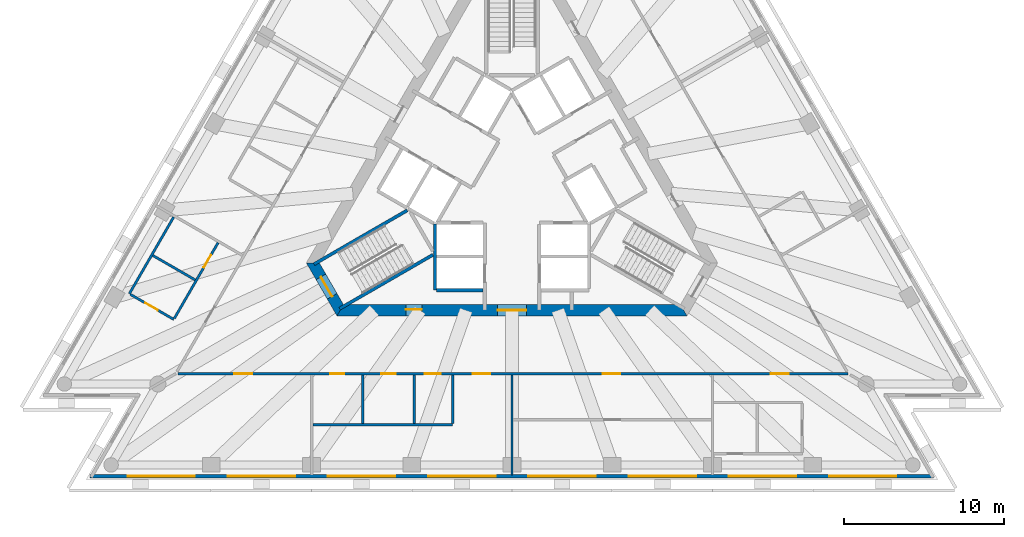
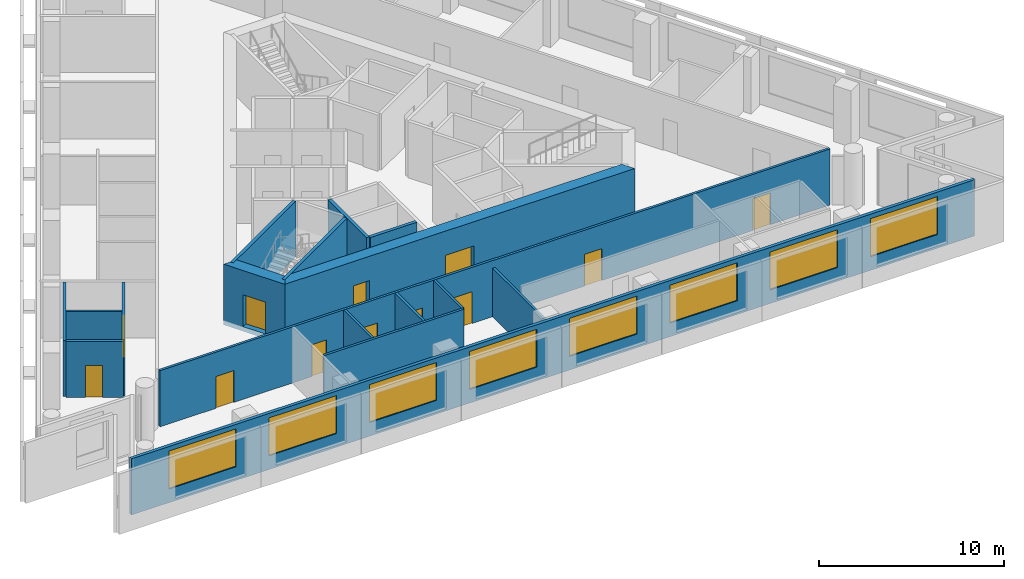
# One storey, part 3 of 10: 17 walls, 12 doors, 8 windows, 20 openings.
"""IFC4 building model written with IfcOpenShell, lengths in metres."""

from ifc_helpers import new_model, si_unit, direction, frame, frame_2d, origin, place, context, subcontext, project, spatial, polyline, rectangle, outline, extrude, material, layer, layer_set, layer_usage, type_object, element, fill, save


model = new_model("IFC4")

# Units and contexts
model_context = context("Model", 3, precision=1e-05, world=origin(), true_north=direction((0.0, 1.0)))
body_context = subcontext(model_context, "Body", "Model", "MODEL_VIEW")
ifc_project = project(units=[si_unit("LENGTHUNIT", "METRE"), si_unit("AREAUNIT", "SQUARE_METRE"), si_unit("VOLUMEUNIT", "CUBIC_METRE"), si_unit("PLANEANGLEUNIT", "RADIAN"), si_unit("MASSUNIT", "GRAM", prefix="KILO")], contexts=[model_context])

# Site, building, storey
site_placement = place(None, origin())
site = spatial("IfcSite", under=ifc_project, at=site_placement, CompositionType="ELEMENT")
building_placement = place(site_placement, origin())
building = spatial("IfcBuilding", under=site, at=building_placement, Name="Triada Interchange Tower", CompositionType="ELEMENT")
storey_placement = place(building_placement, frame((0.0, 0.0, 191.300048828125)))
storey = spatial("IfcBuildingStorey", under=building, at=storey_placement, Name="L44", CompositionType="ELEMENT", Elevation=191.300048828125)

# Walls
ifc_material_1 = material(Name="Concrete C30/37", Category="concrete")
ifc_layer_1 = layer(ifc_material_1, 0.199951171875)
ifc_layer_set_1 = layer_set([ifc_layer_1], Name="CORE WALL 200 EI 120")
wall_type_1 = type_object("IfcWallType", Name="CORE WALL 200 EI 120", PredefinedType="SOLIDWALL", material=ifc_layer_set_1)
wall_1_placement = place(storey_placement, frame((-4.800048828125, -6.89990234375, 0.0), z_axis=(0.0, 0.0, 1.0), x_axis=(0.0, 1.0, 0.0)))
element("IfcWall", 1, at=wall_1_placement, inside=storey, type_object=wall_type_1, Name="Wall L44 48", PredefinedType="SOLIDWALL", context=body_context, shape_type="SweptSolid", body=[
    extrude(rectangle(XDim=4.130859375, YDim=0.199951171875, at=frame_2d((2.0654296875, 0.0))), origin(), (0.0, 0.0, 1.0), 3.699951171875),
])
wall_2_placement = place(storey_placement, frame((-4.699951171875, -6.89990234375, 0.0), z_axis=(0.0, 0.0, 1.0), x_axis=(1.0, 0.0, 0.0)))
element("IfcWall", 2, at=wall_2_placement, inside=storey, type_object=wall_type_1, Name="Wall L44 49", PredefinedType="SOLIDWALL", context=body_context, shape_type="SweptSolid", body=[
    extrude(rectangle(XDim=2.89990234375, YDim=0.199951171875, at=frame_2d((1.449951171875, 0.0))), origin(), (0.0, 0.0, 1.0), 3.699951171875),
])
ifc_layer_2 = layer(ifc_material_1, 0.199951171875)
ifc_layer_set_2 = layer_set([ifc_layer_2], Name="CORE WALL 200 REI 240")
wall_type_2 = type_object("IfcWallType", Name="CORE WALL 200 REI 240", PredefinedType="SOLIDWALL", material=ifc_layer_set_2)
wall_3_placement = place(storey_placement, frame((-12.343994140625, -5.279052734375, 0.0), z_axis=(0.0, 0.0, 1.0), x_axis=(0.866046323291, 0.499963764601, 0.0)))
element("IfcWall", 3, at=wall_3_placement, inside=storey, type_object=wall_type_2, Name="Wall L44 88", PredefinedType="SOLIDWALL", context=body_context, shape_type="SweptSolid", body=[
    extrude(rectangle(XDim=6.71435546875, YDim=0.199951171875, at=frame_2d((3.357177734375, 0.0))), origin(), (0.0, 0.0, 1.0), 3.699951171875),
])
wall_4_placement = place(storey_placement, frame((-10.743896484375, -8.051025390625, 0.0), z_axis=(0.0, 0.0, 1.0), x_axis=(0.865983344943, 0.500072840975, 0.0)))
element("IfcWall", 4, at=wall_4_placement, inside=storey, type_object=wall_type_2, Name="Wall L44 90", PredefinedType="SOLIDWALL", context=body_context, shape_type="SweptSolid", body=[
    extrude(rectangle(XDim=6.71484375, YDim=0.199951171875, at=frame_2d((3.357421875, 0.0))), origin(), (0.0, 0.0, 1.0), 3.699951171875),
])

# Wall, opening, door
ifc_material_2 = material(Name="Concrete C50/60", Category="concrete")
ifc_layer_3 = layer(ifc_material_2, 0.699951171875)
ifc_layer_set_3 = layer_set([ifc_layer_3], Name="Core wall C 700")
wall_type_3 = type_object("IfcWallType", Name="Core wall C 700", PredefinedType="SHEAR", material=ifc_layer_set_3)
wall_5_placement = place(storey_placement, frame((-12.4130859375, -5.199951171875, -0.300048828125), z_axis=(0.0, 0.0, 1.0), x_axis=(0.49999337185, -0.866029230515, 0.0)))
wall_5 = element("IfcWall", 5, at=wall_5_placement, inside=storey, type_object=wall_type_3, Name="Core wall WC03 L44", PredefinedType="SHEAR", context=body_context, shape_type="SweptSolid", body=[
    extrude(outline(polyline([(-0.201904296875, -0.35009765625), (1.703125, -0.35009765625), (3.60791015625, -0.35009765625), (3.2041015625, 0.35009765625), (1.703125, 0.35009765625), (0.201904296875, 0.35009765625), (-0.201904296875, -0.35009765625)])), origin(), (0.0, 0.0, 1.0), 4.0),
])
opening_1_placement = place(wall_5_placement, frame((1.0029296875, 0.0, 0.300048828125)))
opening_1 = element("IfcOpeningElement", 6, at=opening_1_placement, cuts=wall_5, Name="Opening D44-41", PredefinedType="OPENING", context=body_context, shape_type="SweptSolid", body=[
    extrude(rectangle(XDim=1.39990234375, YDim=2.10009765625, at=frame_2d((0.699951171875, 1.050048828125))), frame((0.0, 0.360107421875, 0.0), z_axis=(0.0, -1.0, 0.0), x_axis=(1.0, 0.0, 0.0)), (0.0, 0.0, 1.0), 0.72021484375),
])
ifc_material_3 = material(Name="Steel S235 door leaf", Category="steel")
door_type_1 = type_object("IfcDoorType", Name="STAIR DOOR 1400 EI2 90-C5S200", OperationType="DOUBLE_DOOR_SINGLE_SWING", PredefinedType="DOOR", material=ifc_material_3)
door_1_placement = place(opening_1_placement, origin())
door_1 = element("IfcDoor", 7, at=door_1_placement, inside=storey, type_object=door_type_1, Name="Door D44-41 L44", OperationType="DOUBLE_DOOR_SINGLE_SWING", OverallHeight=2.10009765625, OverallWidth=1.39990234375, PredefinedType="DOOR", context=body_context, shape_type="SweptSolid", body=[
    extrude(rectangle(XDim=1.39990234375, YDim=2.10009765625, at=frame_2d((0.699951171875, 1.050048828125))), frame((0.0, 0.02490234375, 0.0), z_axis=(0.0, -1.0, 0.0), x_axis=(1.0, 0.0, 0.0)), (0.0, 0.0, 1.0), 0.050048828125),
])
fill(opening_1, door_1)

# Wall, openings, doors
wall_6_placement = place(storey_placement, frame((-10.7099609375, -8.14990234375, -0.300048828125), z_axis=(0.0, 0.0, 1.0), x_axis=(1.0, 0.0, 0.0)))
wall_6 = element("IfcWall", 8, at=wall_6_placement, inside=storey, type_object=wall_type_3, Name="Core wall WC04 L44", PredefinedType="SHEAR", context=body_context, shape_type="SweptSolid", body=[
    extrude(outline(polyline([(-0.201904296875, -0.35009765625), (1.781982421875, -0.35009765625), (3.76611328125, -0.35009765625), (5.75, -0.35009765625), (7.734130859375, -0.35009765625), (9.718017578125, -0.35009765625), (11.7021484375, -0.35009765625), (13.68603515625, -0.35009765625), (15.670166015625, -0.35009765625), (17.654052734375, -0.35009765625), (19.63818359375, -0.35009765625), (21.6220703125, -0.35009765625), (21.218017578125, 0.35009765625), (19.307373046875, 0.35009765625), (17.39697265625, 0.35009765625), (15.486328125, 0.35009765625), (13.57568359375, 0.35009765625), (11.665283203125, 0.35009765625), (9.754638671875, 0.35009765625), (7.84423828125, 0.35009765625), (5.93359375, 0.35009765625), (4.02294921875, 0.35009765625), (2.112548828125, 0.35009765625), (0.201904296875, 0.35009765625), (-0.201904296875, -0.35009765625)])), origin(), (0.0, 0.0, 1.0), 4.0),
])
opening_2_placement = place(wall_6_placement, frame((9.81005859375, 0.0, 0.300048828125)))
opening_2 = element("IfcOpeningElement", 9, at=opening_2_placement, cuts=wall_6, Name="Opening D44-39", PredefinedType="OPENING", context=body_context, shape_type="SweptSolid", body=[
    extrude(rectangle(XDim=1.800048828125, YDim=2.10009765625, at=frame_2d((0.89990234375, 1.050048828125))), frame((0.0, 0.360107421875, 0.0), z_axis=(0.0, -1.0, 0.0), x_axis=(1.0, 0.0, 0.0)), (0.0, 0.0, 1.0), 0.72021484375),
])
opening_3_placement = place(wall_6_placement, frame((4.090087890625, 0.0, 0.300048828125)))
opening_3 = element("IfcOpeningElement", 10, at=opening_3_placement, cuts=wall_6, Name="Opening D44-44", PredefinedType="OPENING", context=body_context, shape_type="SweptSolid", body=[
    extrude(rectangle(XDim=1.0, YDim=2.10009765625, at=frame_2d((0.5, 1.050048828125))), frame((0.0, 0.360107421875, 0.0), z_axis=(0.0, -1.0, 0.0), x_axis=(1.0, 0.0, 0.0)), (0.0, 0.0, 1.0), 0.72021484375),
])
door_type_2 = type_object("IfcDoorType", Name="LOBBY DOOR 1800 EI2 90-C5S200", OperationType="DOUBLE_DOOR_SINGLE_SWING", PredefinedType="DOOR", material=ifc_material_3)
door_2_placement = place(opening_2_placement, origin())
door_2 = element("IfcDoor", 11, at=door_2_placement, inside=storey, type_object=door_type_2, Name="Door D44-39 L44", OperationType="DOUBLE_DOOR_SINGLE_SWING", OverallHeight=2.10009765625, OverallWidth=1.800048828125, PredefinedType="DOOR", context=body_context, shape_type="SweptSolid", body=[
    extrude(rectangle(XDim=1.800048828125, YDim=2.10009765625, at=frame_2d((0.89990234375, 1.050048828125))), frame((0.0, 0.02490234375, 0.0), z_axis=(0.0, -1.0, 0.0), x_axis=(1.0, 0.0, 0.0)), (0.0, 0.0, 1.0), 0.050048828125),
])
fill(opening_2, door_2)
door_type_3 = type_object("IfcDoorType", Name="SERVICE DOOR 1000 EI2 45-C5S200", OperationType="NOTDEFINED", PredefinedType="DOOR", material=ifc_material_3)
door_3_placement = place(opening_3_placement, origin())
door_3 = element("IfcDoor", 12, at=door_3_placement, inside=storey, type_object=door_type_3, Name="Door D44-44 L44", OperationType="SINGLE_SWING_RIGHT", OverallHeight=2.10009765625, OverallWidth=1.0, PredefinedType="DOOR", context=body_context, shape_type="SweptSolid", body=[
    extrude(rectangle(XDim=1.0, YDim=2.10009765625, at=frame_2d((0.5, 1.050048828125))), frame((0.0, 0.0751953125, 0.0), z_axis=(0.0, -1.0, 0.0), x_axis=(1.0, 0.0, 0.0)), (0.0, 0.0, 1.0), 0.050048828125),
])
fill(opening_3, door_3)

# Wall, openings, windows
ifc_material_4 = material(Name="Cement board")
ifc_layer_4 = layer(ifc_material_4, 0.02001953125, Name="Cement board cladding")
ifc_material_5 = material(Name="Sheathing board")
ifc_layer_5 = layer(ifc_material_5, 0.014892578125, Name="Sheathing board")
ifc_material_6 = material(Name="Mineral wool")
ifc_layer_6 = layer(ifc_material_6, 0.14990234375, Name="Mineral wool between steel studs")
ifc_material_7 = material(Name="Gypsum board")
ifc_layer_7 = layer(ifc_material_7, 0.014892578125, Name="Plasterboard lining")
ifc_layer_set_4 = layer_set([ifc_layer_4, ifc_layer_5, ifc_layer_6, ifc_layer_7], Name="External wall 200")
ifc_layer_usage = layer_usage(ifc_layer_set_4, "AXIS2", "POSITIVE", -0.10009765625)
wall_type_4 = type_object("IfcWallType", Name="External wall 200", PredefinedType="ELEMENTEDWALL", material=ifc_layer_set_4)
wall_7_placement = place(storey_placement, frame((-26.2958984375, -18.4951171875, 0.0), z_axis=(0.0, 0.0, 1.0), x_axis=(1.0, 0.0, 0.0)))
wall_7 = element("IfcWall", 13, at=wall_7_placement, inside=storey, type_object=wall_type_4, material=ifc_layer_usage, Name="External wall L44 S", PredefinedType="ELEMENTEDWALL", context=body_context, shape_type="SweptSolid", body=[
    extrude(rectangle(XDim=52.57177734375, YDim=0.199951171875, at=frame_2d((26.285888671875, 0.0))), origin(), (0.0, 0.0, 1.0), 3.699951171875),
])
opening_4_placement = place(wall_7_placement, frame((2.326904296875, 0.0, 0.89990234375)))
opening_4 = element("IfcOpeningElement", 14, at=opening_4_placement, cuts=wall_7, Name="Opening WC11", PredefinedType="OPENING", context=body_context, shape_type="SweptSolid", body=[
    extrude(rectangle(XDim=4.199951171875, YDim=2.5, at=frame_2d((2.10009765625, 1.25))), frame((0.0, 0.10986328125, 0.0), z_axis=(0.0, -1.0, 0.0), x_axis=(1.0, 0.0, 0.0)), (0.0, 0.0, 1.0), 0.219970703125),
])
opening_5_placement = place(wall_7_placement, frame((8.574951171875, 0.0, 0.89990234375)))
opening_5 = element("IfcOpeningElement", 15, at=opening_5_placement, cuts=wall_7, Name="Opening WC12", PredefinedType="OPENING", context=body_context, shape_type="SweptSolid", body=[
    extrude(rectangle(XDim=4.199951171875, YDim=2.5, at=frame_2d((2.10009765625, 1.25))), frame((0.0, 0.10986328125, 0.0), z_axis=(0.0, -1.0, 0.0), x_axis=(1.0, 0.0, 0.0)), (0.0, 0.0, 1.0), 0.219970703125),
])
opening_6_placement = place(wall_7_placement, frame((14.823974609375, 0.0, 0.89990234375)))
opening_6 = element("IfcOpeningElement", 16, at=opening_6_placement, cuts=wall_7, Name="Opening WC13", PredefinedType="OPENING", context=body_context, shape_type="SweptSolid", body=[
    extrude(rectangle(XDim=4.199951171875, YDim=2.5, at=frame_2d((2.10009765625, 1.25))), frame((0.0, 0.10986328125, 0.0), z_axis=(0.0, -1.0, 0.0), x_axis=(1.0, 0.0, 0.0)), (0.0, 0.0, 1.0), 0.219970703125),
])
opening_7_placement = place(wall_7_placement, frame((21.072021484375, 0.0, 0.89990234375)))
opening_7 = element("IfcOpeningElement", 17, at=opening_7_placement, cuts=wall_7, Name="Opening WC14", PredefinedType="OPENING", context=body_context, shape_type="SweptSolid", body=[
    extrude(rectangle(XDim=4.199951171875, YDim=2.5, at=frame_2d((2.10009765625, 1.25))), frame((0.0, 0.10986328125, 0.0), z_axis=(0.0, -1.0, 0.0), x_axis=(1.0, 0.0, 0.0)), (0.0, 0.0, 1.0), 0.219970703125),
])
opening_8_placement = place(wall_7_placement, frame((27.320068359375, 0.0, 0.89990234375)))
opening_8 = element("IfcOpeningElement", 18, at=opening_8_placement, cuts=wall_7, Name="Opening WC15", PredefinedType="OPENING", context=body_context, shape_type="SweptSolid", body=[
    extrude(rectangle(XDim=4.199951171875, YDim=2.5, at=frame_2d((2.10009765625, 1.25))), frame((0.0, 0.10986328125, 0.0), z_axis=(0.0, -1.0, 0.0), x_axis=(1.0, 0.0, 0.0)), (0.0, 0.0, 1.0), 0.219970703125),
])
opening_9_placement = place(wall_7_placement, frame((33.568115234375, 0.0, 0.89990234375)))
opening_9 = element("IfcOpeningElement", 19, at=opening_9_placement, cuts=wall_7, Name="Opening WC16", PredefinedType="OPENING", context=body_context, shape_type="SweptSolid", body=[
    extrude(rectangle(XDim=4.199951171875, YDim=2.5, at=frame_2d((2.10009765625, 1.25))), frame((0.0, 0.10986328125, 0.0), z_axis=(0.0, -1.0, 0.0), x_axis=(1.0, 0.0, 0.0)), (0.0, 0.0, 1.0), 0.219970703125),
])
opening_10_placement = place(wall_7_placement, frame((39.81689453125, 0.0, 0.89990234375)))
opening_10 = element("IfcOpeningElement", 20, at=opening_10_placement, cuts=wall_7, Name="Opening WC17", PredefinedType="OPENING", context=body_context, shape_type="SweptSolid", body=[
    extrude(rectangle(XDim=4.199951171875, YDim=2.5, at=frame_2d((2.10009765625, 1.25))), frame((0.0, 0.10986328125, 0.0), z_axis=(0.0, -1.0, 0.0), x_axis=(1.0, 0.0, 0.0)), (0.0, 0.0, 1.0), 0.219970703125),
])
opening_11_placement = place(wall_7_placement, frame((46.06494140625, 0.0, 0.89990234375)))
opening_11 = element("IfcOpeningElement", 21, at=opening_11_placement, cuts=wall_7, Name="Opening WC18", PredefinedType="OPENING", context=body_context, shape_type="SweptSolid", body=[
    extrude(rectangle(XDim=4.199951171875, YDim=2.5, at=frame_2d((2.10009765625, 1.25))), frame((0.0, 0.10986328125, 0.0), z_axis=(0.0, -1.0, 0.0), x_axis=(1.0, 0.0, 0.0)), (0.0, 0.0, 1.0), 0.219970703125),
])
ifc_material_8 = material(Name="Double glazed aluminium window", Category="aluminium")
window_type = type_object("IfcWindowType", Name="Ribbon window C face", PartitioningType="SINGLE_PANEL", PredefinedType="WINDOW", material=ifc_material_8)
window_1_placement = place(opening_4_placement, origin())
window_1 = element("IfcWindow", 22, at=window_1_placement, inside=storey, type_object=window_type, Name="Window L44 S 1", OverallHeight=2.5, OverallWidth=4.199951171875, PartitioningType="SINGLE_PANEL", PredefinedType="WINDOW", context=body_context, shape_type="SweptSolid", body=[
    extrude(rectangle(XDim=4.199951171875, YDim=2.5, at=frame_2d((2.10009765625, 1.25))), frame((0.0, 0.030029296875, 0.0), z_axis=(0.0, -1.0, 0.0), x_axis=(1.0, 0.0, 0.0)), (0.0, 0.0, 1.0), 0.06005859375),
])
fill(opening_4, window_1)
window_2_placement = place(opening_5_placement, origin())
window_2 = element("IfcWindow", 23, at=window_2_placement, inside=storey, type_object=window_type, Name="Window L44 S 2", OverallHeight=2.5, OverallWidth=4.199951171875, PartitioningType="SINGLE_PANEL", PredefinedType="WINDOW", context=body_context, shape_type="SweptSolid", body=[
    extrude(rectangle(XDim=4.199951171875, YDim=2.5, at=frame_2d((2.10009765625, 1.25))), frame((0.0, 0.030029296875, 0.0), z_axis=(0.0, -1.0, 0.0), x_axis=(1.0, 0.0, 0.0)), (0.0, 0.0, 1.0), 0.06005859375),
])
fill(opening_5, window_2)
window_3_placement = place(opening_6_placement, origin())
window_3 = element("IfcWindow", 24, at=window_3_placement, inside=storey, type_object=window_type, Name="Window L44 S 3", OverallHeight=2.5, OverallWidth=4.199951171875, PartitioningType="SINGLE_PANEL", PredefinedType="WINDOW", context=body_context, shape_type="SweptSolid", body=[
    extrude(rectangle(XDim=4.199951171875, YDim=2.5, at=frame_2d((2.10009765625, 1.25))), frame((0.0, 0.030029296875, 0.0), z_axis=(0.0, -1.0, 0.0), x_axis=(1.0, 0.0, 0.0)), (0.0, 0.0, 1.0), 0.06005859375),
])
fill(opening_6, window_3)
window_4_placement = place(opening_7_placement, origin())
window_4 = element("IfcWindow", 25, at=window_4_placement, inside=storey, type_object=window_type, Name="Window L44 S 4", OverallHeight=2.5, OverallWidth=4.199951171875, PartitioningType="SINGLE_PANEL", PredefinedType="WINDOW", context=body_context, shape_type="SweptSolid", body=[
    extrude(rectangle(XDim=4.199951171875, YDim=2.5, at=frame_2d((2.10009765625, 1.25))), frame((0.0, 0.030029296875, 0.0), z_axis=(0.0, -1.0, 0.0), x_axis=(1.0, 0.0, 0.0)), (0.0, 0.0, 1.0), 0.06005859375),
])
fill(opening_7, window_4)
window_5_placement = place(opening_8_placement, origin())
window_5 = element("IfcWindow", 26, at=window_5_placement, inside=storey, type_object=window_type, Name="Window L44 S 5", OverallHeight=2.5, OverallWidth=4.199951171875, PartitioningType="SINGLE_PANEL", PredefinedType="WINDOW", context=body_context, shape_type="SweptSolid", body=[
    extrude(rectangle(XDim=4.199951171875, YDim=2.5, at=frame_2d((2.10009765625, 1.25))), frame((0.0, 0.030029296875, 0.0), z_axis=(0.0, -1.0, 0.0), x_axis=(1.0, 0.0, 0.0)), (0.0, 0.0, 1.0), 0.06005859375),
])
fill(opening_8, window_5)
window_6_placement = place(opening_9_placement, origin())
window_6 = element("IfcWindow", 27, at=window_6_placement, inside=storey, type_object=window_type, Name="Window L44 S 6", OverallHeight=2.5, OverallWidth=4.199951171875, PartitioningType="SINGLE_PANEL", PredefinedType="WINDOW", context=body_context, shape_type="SweptSolid", body=[
    extrude(rectangle(XDim=4.199951171875, YDim=2.5, at=frame_2d((2.10009765625, 1.25))), frame((0.0, 0.030029296875, 0.0), z_axis=(0.0, -1.0, 0.0), x_axis=(1.0, 0.0, 0.0)), (0.0, 0.0, 1.0), 0.06005859375),
])
fill(opening_9, window_6)
window_7_placement = place(opening_10_placement, origin())
window_7 = element("IfcWindow", 28, at=window_7_placement, inside=storey, type_object=window_type, Name="Window L44 S 7", OverallHeight=2.5, OverallWidth=4.199951171875, PartitioningType="SINGLE_PANEL", PredefinedType="WINDOW", context=body_context, shape_type="SweptSolid", body=[
    extrude(rectangle(XDim=4.199951171875, YDim=2.5, at=frame_2d((2.10009765625, 1.25))), frame((0.0, 0.030029296875, 0.0), z_axis=(0.0, -1.0, 0.0), x_axis=(1.0, 0.0, 0.0)), (0.0, 0.0, 1.0), 0.06005859375),
])
fill(opening_10, window_7)
window_8_placement = place(opening_11_placement, origin())
window_8 = element("IfcWindow", 29, at=window_8_placement, inside=storey, type_object=window_type, Name="Window L44 S 8", OverallHeight=2.5, OverallWidth=4.199951171875, PartitioningType="SINGLE_PANEL", PredefinedType="WINDOW", context=body_context, shape_type="SweptSolid", body=[
    extrude(rectangle(XDim=4.199951171875, YDim=2.5, at=frame_2d((2.10009765625, 1.25))), frame((0.0, 0.030029296875, 0.0), z_axis=(0.0, -1.0, 0.0), x_axis=(1.0, 0.0, 0.0)), (0.0, 0.0, 1.0), 0.06005859375),
])
fill(opening_11, window_8)

# Wall, openings, doors
ifc_material_9 = material(Name="Gypsum board partition")
ifc_layer_8 = layer(ifc_material_9, 0.14990234375)
ifc_layer_set_5 = layer_set([ifc_layer_8], Name="PARTITION 150 EI 180")
wall_type_5 = type_object("IfcWallType", Name="PARTITION 150 EI 180", PredefinedType="PARTITIONING", material=ifc_layer_set_5)
wall_8_placement = place(storey_placement, frame((-20.80810546875, -12.10009765625, 0.0), z_axis=(0.0, 0.0, 1.0), x_axis=(1.0, 0.0, 0.0)))
wall_8 = element("IfcWall", 30, at=wall_8_placement, inside=storey, type_object=wall_type_5, Name="Wall L44 5", PredefinedType="PARTITIONING", context=body_context, shape_type="SweptSolid", body=[
    extrude(rectangle(XDim=41.76611328125, YDim=0.14990234375, at=frame_2d((20.883056640625, 0.0))), origin(), (0.0, 0.0, 1.0), 3.699951171875),
])
opening_12_placement = place(wall_8_placement, frame((3.5, 0.0, 0.0)))
opening_12 = element("IfcOpeningElement", 31, at=opening_12_placement, cuts=wall_8, Name="Opening D44-11", PredefinedType="OPENING", context=body_context, shape_type="SweptSolid", body=[
    extrude(rectangle(XDim=1.10009765625, YDim=2.10009765625, at=frame_2d((0.550048828125, 1.050048828125))), frame((0.0, 0.0849609375, 0.0), z_axis=(0.0, -1.0, 0.0), x_axis=(1.0, 0.0, 0.0)), (0.0, 0.0, 1.0), 0.169921875),
])
opening_13_placement = place(wall_8_placement, frame((18.362060546875, 0.0, 0.0)))
opening_13 = element("IfcOpeningElement", 32, at=opening_13_placement, cuts=wall_8, Name="Opening D44-12", PredefinedType="OPENING", context=body_context, shape_type="SweptSolid", body=[
    extrude(rectangle(XDim=1.10009765625, YDim=2.10009765625, at=frame_2d((0.550048828125, 1.050048828125))), frame((0.0, 0.0849609375, 0.0), z_axis=(0.0, -1.0, 0.0), x_axis=(1.0, 0.0, 0.0)), (0.0, 0.0, 1.0), 0.169921875),
])
opening_14_placement = place(wall_8_placement, frame((9.4619140625, 0.0, 0.0)))
opening_14 = element("IfcOpeningElement", 33, at=opening_14_placement, cuts=wall_8, Name="Opening D44-13", PredefinedType="OPENING", context=body_context, shape_type="SweptSolid", body=[
    extrude(rectangle(XDim=0.89990234375, YDim=2.10009765625, at=frame_2d((0.449951171875, 1.050048828125))), frame((0.0, 0.0849609375, 0.0), z_axis=(0.0, -1.0, 0.0), x_axis=(1.0, 0.0, 0.0)), (0.0, 0.0, 1.0), 0.169921875),
])
opening_15_placement = place(wall_8_placement, frame((12.662109375, 0.0, 0.0)))
opening_15 = element("IfcOpeningElement", 34, at=opening_15_placement, cuts=wall_8, Name="Opening D44-14", PredefinedType="OPENING", context=body_context, shape_type="SweptSolid", body=[
    extrude(rectangle(XDim=0.89990234375, YDim=2.10009765625, at=frame_2d((0.449951171875, 1.050048828125))), frame((0.0, 0.0849609375, 0.0), z_axis=(0.0, -1.0, 0.0), x_axis=(1.0, 0.0, 0.0)), (0.0, 0.0, 1.0), 0.169921875),
])
opening_16_placement = place(wall_8_placement, frame((15.362060546875, 0.0, 0.0)))
opening_16 = element("IfcOpeningElement", 35, at=opening_16_placement, cuts=wall_8, Name="Opening D44-15", PredefinedType="OPENING", context=body_context, shape_type="SweptSolid", body=[
    extrude(rectangle(XDim=1.0, YDim=2.10009765625, at=frame_2d((0.5, 1.050048828125))), frame((0.0, 0.0849609375, 0.0), z_axis=(0.0, -1.0, 0.0), x_axis=(1.0, 0.0, 0.0)), (0.0, 0.0, 1.0), 0.169921875),
])
opening_17_placement = place(wall_8_placement, frame((26.4580078125, 0.0, 0.0)))
opening_17 = element("IfcOpeningElement", 36, at=opening_17_placement, cuts=wall_8, Name="Opening D44-16", PredefinedType="OPENING", context=body_context, shape_type="SweptSolid", body=[
    extrude(rectangle(XDim=1.10009765625, YDim=2.10009765625, at=frame_2d((0.550048828125, 1.050048828125))), frame((0.0, 0.0849609375, 0.0), z_axis=(0.0, -1.0, 0.0), x_axis=(1.0, 0.0, 0.0)), (0.0, 0.0, 1.0), 0.169921875),
])
opening_18_placement = place(wall_8_placement, frame((36.955078125, 0.0, 0.0)))
opening_18 = element("IfcOpeningElement", 37, at=opening_18_placement, cuts=wall_8, Name="Opening D44-18", PredefinedType="OPENING", context=body_context, shape_type="SweptSolid", body=[
    extrude(rectangle(XDim=1.10009765625, YDim=2.10009765625, at=frame_2d((0.550048828125, 1.050048828125))), frame((0.0, 0.0849609375, 0.0), z_axis=(0.0, -1.0, 0.0), x_axis=(1.0, 0.0, 0.0)), (0.0, 0.0, 1.0), 0.169921875),
])
door_type_4 = type_object("IfcDoorType", Name="ROOM DOOR 1000 EI2 90-C5S200", OperationType="NOTDEFINED", PredefinedType="DOOR", material=ifc_material_3)
door_4_placement = place(opening_16_placement, origin())
door_4 = element("IfcDoor", 38, at=door_4_placement, inside=storey, type_object=door_type_4, Name="Door D44-15 L44", OperationType="SINGLE_SWING_LEFT", OverallHeight=2.10009765625, OverallWidth=1.0, PredefinedType="DOOR", context=body_context, shape_type="SweptSolid", body=[
    extrude(rectangle(XDim=1.0, YDim=2.10009765625, at=frame_2d((0.5, 1.050048828125))), frame((0.0, 0.02490234375, 0.0), z_axis=(0.0, -1.0, 0.0), x_axis=(1.0, 0.0, 0.0)), (0.0, 0.0, 1.0), 0.050048828125),
])
fill(opening_16, door_4)
door_type_5 = type_object("IfcDoorType", Name="ROOM DOOR 900 EI2 90-C5S200", OperationType="NOTDEFINED", PredefinedType="DOOR", material=ifc_material_3)
door_5_placement = place(opening_14_placement, origin())
door_5 = element("IfcDoor", 39, at=door_5_placement, inside=storey, type_object=door_type_5, Name="Door D44-13 L44", OperationType="SINGLE_SWING_RIGHT", OverallHeight=2.10009765625, OverallWidth=0.89990234375, PredefinedType="DOOR", context=body_context, shape_type="SweptSolid", body=[
    extrude(rectangle(XDim=0.89990234375, YDim=2.10009765625, at=frame_2d((0.449951171875, 1.050048828125))), frame((0.0, 0.02490234375, 0.0), z_axis=(0.0, -1.0, 0.0), x_axis=(1.0, 0.0, 0.0)), (0.0, 0.0, 1.0), 0.050048828125),
])
fill(opening_14, door_5)
door_6_placement = place(opening_15_placement, origin())
door_6 = element("IfcDoor", 40, at=door_6_placement, inside=storey, type_object=door_type_5, Name="Door D44-14 L44", OperationType="SINGLE_SWING_RIGHT", OverallHeight=2.10009765625, OverallWidth=0.89990234375, PredefinedType="DOOR", context=body_context, shape_type="SweptSolid", body=[
    extrude(rectangle(XDim=0.89990234375, YDim=2.10009765625, at=frame_2d((0.449951171875, 1.050048828125))), frame((0.0, 0.02490234375, 0.0), z_axis=(0.0, -1.0, 0.0), x_axis=(1.0, 0.0, 0.0)), (0.0, 0.0, 1.0), 0.050048828125),
])
fill(opening_15, door_6)
door_type_6 = type_object("IfcDoorType", Name="TENANCY ENTRANCE DOOR 1100 EI2 90-C5S200", OperationType="NOTDEFINED", PredefinedType="DOOR", material=ifc_material_3)
door_7_placement = place(opening_12_placement, origin())
door_7 = element("IfcDoor", 41, at=door_7_placement, inside=storey, type_object=door_type_6, Name="Door D44-11 L44", OperationType="SINGLE_SWING_RIGHT", OverallHeight=2.10009765625, OverallWidth=1.10009765625, PredefinedType="DOOR", context=body_context, shape_type="SweptSolid", body=[
    extrude(rectangle(XDim=1.10009765625, YDim=2.10009765625, at=frame_2d((0.550048828125, 1.050048828125))), frame((0.0, 0.02490234375, 0.0), z_axis=(0.0, -1.0, 0.0), x_axis=(1.0, 0.0, 0.0)), (0.0, 0.0, 1.0), 0.050048828125),
])
fill(opening_12, door_7)
door_8_placement = place(opening_13_placement, origin())
door_8 = element("IfcDoor", 42, at=door_8_placement, inside=storey, type_object=door_type_6, Name="Door D44-12 L44", OperationType="SINGLE_SWING_LEFT", OverallHeight=2.10009765625, OverallWidth=1.10009765625, PredefinedType="DOOR", context=body_context, shape_type="SweptSolid", body=[
    extrude(rectangle(XDim=1.10009765625, YDim=2.10009765625, at=frame_2d((0.550048828125, 1.050048828125))), frame((0.0, 0.02490234375, 0.0), z_axis=(0.0, -1.0, 0.0), x_axis=(1.0, 0.0, 0.0)), (0.0, 0.0, 1.0), 0.050048828125),
])
fill(opening_13, door_8)
door_9_placement = place(opening_17_placement, origin())
door_9 = element("IfcDoor", 43, at=door_9_placement, inside=storey, type_object=door_type_6, Name="Door D44-16 L44", OperationType="SINGLE_SWING_LEFT", OverallHeight=2.10009765625, OverallWidth=1.10009765625, PredefinedType="DOOR", context=body_context, shape_type="SweptSolid", body=[
    extrude(rectangle(XDim=1.10009765625, YDim=2.10009765625, at=frame_2d((0.550048828125, 1.050048828125))), frame((0.0, 0.02490234375, 0.0), z_axis=(0.0, -1.0, 0.0), x_axis=(1.0, 0.0, 0.0)), (0.0, 0.0, 1.0), 0.050048828125),
])
fill(opening_17, door_9)
door_10_placement = place(opening_18_placement, origin())
door_10 = element("IfcDoor", 44, at=door_10_placement, inside=storey, type_object=door_type_6, Name="Door D44-18 L44", OperationType="SINGLE_SWING_LEFT", OverallHeight=2.10009765625, OverallWidth=1.10009765625, PredefinedType="DOOR", context=body_context, shape_type="SweptSolid", body=[
    extrude(rectangle(XDim=1.10009765625, YDim=2.10009765625, at=frame_2d((0.550048828125, 1.050048828125))), frame((0.0, 0.02490234375, 0.0), z_axis=(0.0, -1.0, 0.0), x_axis=(1.0, 0.0, 0.0)), (0.0, 0.0, 1.0), 0.050048828125),
])
fill(opening_18, door_10)

# Walls
wall_9_placement = place(storey_placement, frame((-12.4208984375, -15.297119140625, 0.0), z_axis=(0.0, 0.0, 1.0), x_axis=(1.0, 0.0, 0.0)))
element("IfcWall", 45, at=wall_9_placement, inside=storey, type_object=wall_type_5, Name="Wall L44 14", PredefinedType="PARTITIONING", context=body_context, shape_type="SweptSolid", body=[
    extrude(rectangle(XDim=8.724853515625, YDim=0.14990234375, at=frame_2d((4.3623046875, 0.0))), origin(), (0.0, 0.0, 1.0), 3.699951171875),
])
for number, where, z_axis, x_axis, name in (
    (46, (-9.2958984375, -15.221923828125, 0.0), (0.0, 0.0, 1.0), (0.0, 1.0, 0.0), "Wall L44 16"),
    (47, (-3.696044921875, -15.221923828125, 0.0), (0.0, 0.0, 1.0), (0.0, 1.0, 0.0), "Wall L44 17"),
    (48, (-6.095947265625, -15.221923828125, 0.0), (0.0, 0.0, 1.0), (0.0, 1.0, 0.0), "Wall L44 18"),
):
    element("IfcWall", number, at=place(storey_placement, frame(where, z_axis=z_axis, x_axis=x_axis)), inside=storey, type_object=wall_type_5, Name=name, PredefinedType="PARTITIONING", context=body_context, shape_type="SweptSolid", body=[
        extrude(rectangle(XDim=3.046875, YDim=0.14990234375, at=frame_2d((1.5234375, 0.0))), origin(), (0.0, 0.0, 1.0), 3.699951171875),
    ])
wall_10_placement = place(storey_placement, frame((0.0, -18.4150390625, 0.0), z_axis=(0.0, 0.0, 1.0), x_axis=(0.0, 1.0, 0.0)))
element("IfcWall", 49, at=wall_10_placement, inside=storey, type_object=wall_type_5, Name="Wall L44 19", PredefinedType="PARTITIONING", context=body_context, shape_type="SweptSolid", body=[
    extrude(rectangle(XDim=6.239990234375, YDim=0.14990234375, at=frame_2d((3.1201171875, 0.0))), origin(), (0.0, 0.0, 1.0), 3.199951171875),
])
ifc_layer_9 = layer(ifc_material_9, 0.14990234375)
ifc_layer_set_6 = layer_set([ifc_layer_9], Name="PARTITION 150 EI 90")
wall_type_6 = type_object("IfcWallType", Name="PARTITION 150 EI 90", PredefinedType="PARTITIONING", material=ifc_layer_set_6)
wall_11_placement = place(storey_placement, frame((-23.85498046875, -7.123046875, 0.0), z_axis=(0.0, 0.0, 1.0), x_axis=(0.499994082372, 0.866028820302, 0.0)))
element("IfcWall", 50, at=wall_11_placement, inside=storey, type_object=wall_type_6, Name="Wall L44 27", PredefinedType="PARTITIONING", context=body_context, shape_type="SweptSolid", body=[
    extrude(rectangle(XDim=5.52392578125, YDim=0.14990234375, at=frame_2d((2.761962890625, 0.0))), origin(), (0.0, 0.0, 1.0), 3.699951171875),
])

# Wall, opening, door
wall_12_placement = place(storey_placement, frame((-23.7900390625, -7.160888671875, 0.0), z_axis=(0.0, 0.0, 1.0), x_axis=(0.866050172578, -0.499957096737, 0.0)))
wall_12 = element("IfcWall", 51, at=wall_12_placement, inside=storey, type_object=wall_type_6, Name="Wall L44 29", PredefinedType="PARTITIONING", context=body_context, shape_type="SweptSolid", body=[
    extrude(rectangle(XDim=3.122314453125, YDim=0.14990234375, at=frame_2d((1.56103515625, 0.0))), origin(), (0.0, 0.0, 1.0), 3.699951171875),
])
opening_19_placement = place(wall_12_placement, frame((1.072021484375, 0.0, 0.0)))
opening_19 = element("IfcOpeningElement", 52, at=opening_19_placement, cuts=wall_12, Name="Opening D44-38", PredefinedType="OPENING", context=body_context, shape_type="SweptSolid", body=[
    extrude(rectangle(XDim=0.89990234375, YDim=2.10009765625, at=frame_2d((0.449951171875, 1.050048828125))), frame((0.0, 0.0849609375, 0.0), z_axis=(0.0, -1.0, 0.0), x_axis=(1.0, 0.0, 0.0)), (0.0, 0.0, 1.0), 0.169921875),
])
door_type_7 = type_object("IfcDoorType", Name="ROOM DOOR 900 EI2 45-C5S200", OperationType="NOTDEFINED", PredefinedType="DOOR", material=ifc_material_3)
door_11_placement = place(opening_19_placement, origin())
door_11 = element("IfcDoor", 53, at=door_11_placement, inside=storey, type_object=door_type_7, Name="Door D44-38 L44", OperationType="SINGLE_SWING_LEFT", OverallHeight=2.10009765625, OverallWidth=0.89990234375, PredefinedType="DOOR", context=body_context, shape_type="SweptSolid", body=[
    extrude(rectangle(XDim=0.89990234375, YDim=2.10009765625, at=frame_2d((0.449951171875, 1.050048828125))), frame((0.0, 0.02490234375, 0.0), z_axis=(0.0, -1.0, 0.0), x_axis=(1.0, 0.0, 0.0)), (0.0, 0.0, 1.0), 0.050048828125),
])
fill(opening_19, door_11)

wall_13_placement = place(storey_placement, frame((-21.049072265625, -8.656982421875, 0.0), z_axis=(0.0, 0.0, 1.0), x_axis=(0.500002931134, 0.866023711487, 0.0)))
wall_13 = element("IfcWall", 54, at=wall_13_placement, inside=storey, type_object=wall_type_6, Name="Wall L44 30", PredefinedType="PARTITIONING", context=body_context, shape_type="SweptSolid", body=[
    extrude(rectangle(XDim=5.4501953125, YDim=0.14990234375, at=frame_2d((2.72509765625, 0.0))), origin(), (0.0, 0.0, 1.0), 3.699951171875),
])
opening_20_placement = place(wall_13_placement, frame((3.675048828125, 0.0, 0.0)))
opening_20 = element("IfcOpeningElement", 55, at=opening_20_placement, cuts=wall_13, Name="Opening D44-37", PredefinedType="OPENING", context=body_context, shape_type="SweptSolid", body=[
    extrude(rectangle(XDim=0.89990234375, YDim=2.10009765625, at=frame_2d((0.449951171875, 1.050048828125))), frame((0.0, 0.0849609375, 0.0), z_axis=(0.0, -1.0, 0.0), x_axis=(1.0, 0.0, 0.0)), (0.0, 0.0, 1.0), 0.169921875),
])
door_12_placement = place(opening_20_placement, origin())
door_12 = element("IfcDoor", 56, at=door_12_placement, inside=storey, type_object=door_type_7, Name="Door D44-37 L44", OperationType="SINGLE_SWING_RIGHT", OverallHeight=2.10009765625, OverallWidth=0.89990234375, PredefinedType="DOOR", context=body_context, shape_type="SweptSolid", body=[
    extrude(rectangle(XDim=0.89990234375, YDim=2.10009765625, at=frame_2d((0.449951171875, 1.050048828125))), frame((0.0, 0.02490234375, 0.0), z_axis=(0.0, -1.0, 0.0), x_axis=(1.0, 0.0, 0.0)), (0.0, 0.0, 1.0), 0.050048828125),
])
fill(opening_20, door_12)

# Wall
wall_14_placement = place(storey_placement, frame((-22.389892578125, -4.736083984375, 0.0), z_axis=(0.0, 0.0, 1.0), x_axis=(0.865976105257, -0.500085377835, 0.0)))
element("IfcWall", 57, at=wall_14_placement, inside=storey, type_object=wall_type_6, Name="Wall L44 32", PredefinedType="PARTITIONING", context=body_context, shape_type="SweptSolid", body=[
    extrude(rectangle(XDim=3.04736328125, YDim=0.14990234375, at=frame_2d((1.523681640625, 0.0))), origin(), (0.0, 0.0, 1.0), 3.699951171875),
])

save(model, "model.ifc")
